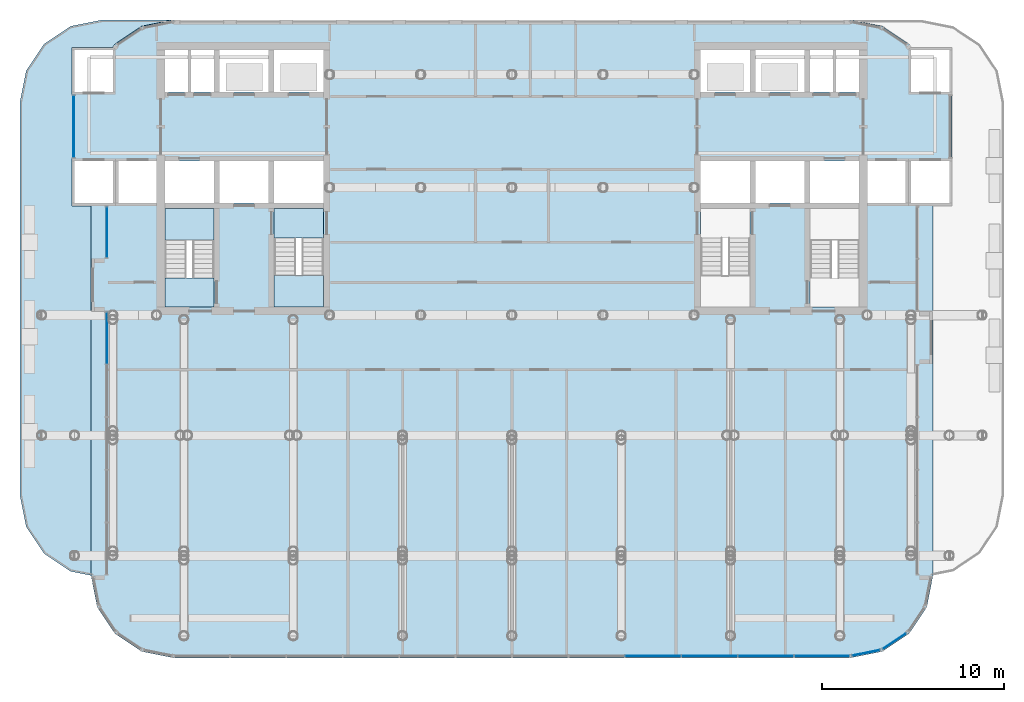
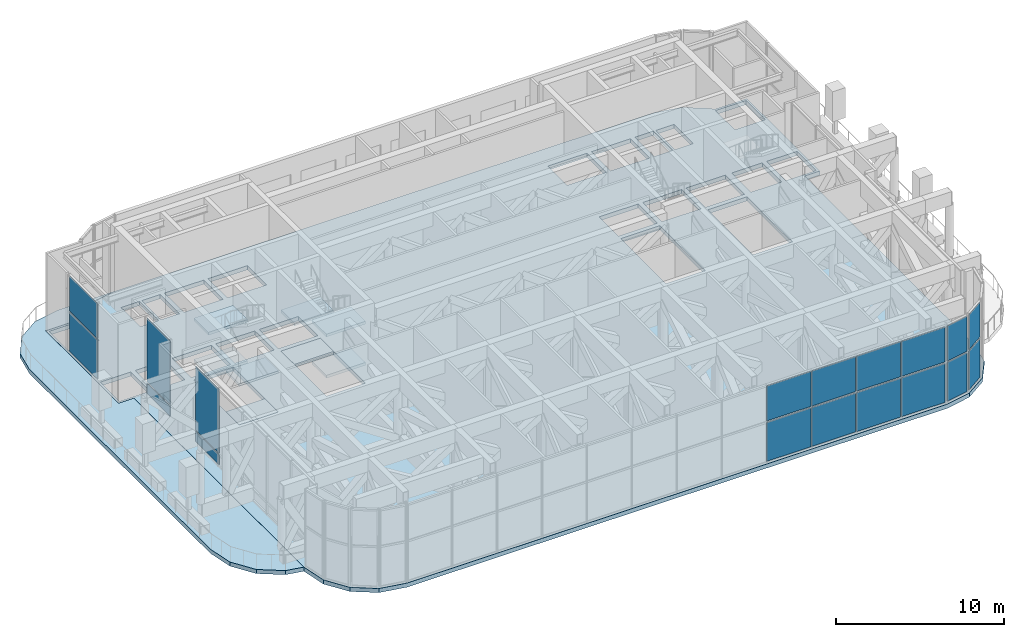
# One storey, part 10 of 21: 18 plates, 10 slabs, 8 elements without a shape of their own.
"""IFC4 building model written with IfcOpenShell, lengths in metres."""

from ifc_helpers import new_model, si_unit, direction, frame, origin, origin_2d, place, context, subcontext, project, spatial, polyline, rectangle, outline, extrude, material, layer, layer_set, type_object, element, aggregate, save


model = new_model("IFC4")

# Units and contexts
model_context = context("Model", 3, precision=1e-05, world=origin(), true_north=direction((0.0, 1.0)))
body_context = subcontext(model_context, "Body", "Model", "MODEL_VIEW")
ifc_project = project(units=[si_unit("LENGTHUNIT", "METRE"), si_unit("AREAUNIT", "SQUARE_METRE"), si_unit("VOLUMEUNIT", "CUBIC_METRE"), si_unit("PLANEANGLEUNIT", "RADIAN"), si_unit("MASSUNIT", "GRAM", prefix="KILO")], contexts=[model_context])

# Site, building, storey
site_placement = place(None, origin())
site = spatial("IfcSite", under=ifc_project, at=site_placement, CompositionType="ELEMENT")
building_placement = place(site_placement, origin())
building = spatial("IfcBuilding", under=site, at=building_placement, Name="Torana Hotel and Residences", CompositionType="ELEMENT")
storey_placement = place(building_placement, frame((0.0, 0.0, 246.60009765625)))
storey = spatial("IfcBuildingStorey", under=building, at=storey_placement, Name="L65", CompositionType="ELEMENT", Elevation=246.60009765625)

# Curtain wall, plates
ifc_material_1 = material(Name="Dark anodised aluminium", Category="aluminium")
ifc_layer_1 = layer(ifc_material_1, 0.199951171875)
ifc_layer_set_1 = layer_set([ifc_layer_1], Name="CW2 SKY LOBBY UNITISED CURTAIN WALL")
curtain_wall_type = type_object("IfcCurtainWallType", Name="CW2 SKY LOBBY UNITISED CURTAIN WALL", PredefinedType="NOTDEFINED", material=ifc_layer_set_1)
curtain_wall_1_placement = place(storey_placement, origin())
curtain_wall_1 = element("IfcCurtainWall", 1, at=curtain_wall_1_placement, inside=storey, type_object=curtain_wall_type, Name="Curtain wall CW2 L65 e0.2", PredefinedType="NOTDEFINED")
ifc_material_2 = material(Name="Glass dark tinted double glazed unit", Category="glass")
ifc_layer_2 = layer(ifc_material_2, 0.031982421875)
ifc_layer_set_2 = layer_set([ifc_layer_2], Name="CW2 DARK GLASS PANEL 32")
plate_type = type_object("IfcPlateType", Name="CW2 DARK GLASS PANEL 32", PredefinedType="CURTAIN_PANEL", material=ifc_layer_set_2)
plate_1_placement = place(storey_placement, frame((-24.050048828125, -4.64990234375, 0.11962890625), z_axis=(0.0, 0.0, 1.0), x_axis=(0.0, -1.0, 0.0)))
plate_1 = element("IfcPlate", 2, at=plate_1_placement, type_object=plate_type, Name="CW2 panel 1.1", PredefinedType="CURTAIN_PANEL", context=body_context, shape_type="SweptSolid", body=[
    extrude(rectangle(XDim=3.360107421875, YDim=0.031982421875, at=origin_2d()), origin(), (0.0, 0.0, 1.0), 2.820068359375),
])
plate_2_placement = place(storey_placement, frame((-24.050048828125, -4.64990234375, 3.059814453125), z_axis=(0.0, 0.0, 1.0), x_axis=(0.0, -1.0, 0.0)))
plate_2 = element("IfcPlate", 3, at=plate_2_placement, type_object=plate_type, Name="CW2 panel 1.2", PredefinedType="CURTAIN_PANEL", context=body_context, shape_type="SweptSolid", body=[
    extrude(rectangle(XDim=3.360107421875, YDim=0.031982421875, at=origin_2d()), origin(), (0.0, 0.0, 1.0), 2.5400390625),
])
aggregate(curtain_wall_1, [plate_1, plate_2])

curtain_wall_2_placement = place(storey_placement, origin())
curtain_wall_2 = element("IfcCurtainWall", 4, at=curtain_wall_2_placement, inside=storey, type_object=curtain_wall_type, Name="Curtain wall CW2 L65 e0.4-1", PredefinedType="NOTDEFINED")
plate_3_placement = place(storey_placement, frame((-22.22998046875, -10.4482421875, 0.1201171875), z_axis=(0.0, 0.0, 1.0), x_axis=(0.0, -1.0, 0.0)))
plate_3 = element("IfcPlate", 5, at=plate_3_placement, type_object=plate_type, Name="CW2 panel 1.1", PredefinedType="CURTAIN_PANEL", context=body_context, shape_type="SweptSolid", body=[
    extrude(rectangle(XDim=2.756591796875, YDim=0.031982421875, at=origin_2d()), origin(), (0.0, 0.0, 1.0), 0.719970703125),
])
plate_4_placement = place(storey_placement, frame((-22.22998046875, -10.4482421875, 0.9599609375), z_axis=(0.0, 0.0, 1.0), x_axis=(0.0, -1.0, 0.0)))
plate_4 = element("IfcPlate", 6, at=plate_4_placement, type_object=plate_type, Name="CW2 panel 1.2", PredefinedType="CURTAIN_PANEL", context=body_context, shape_type="SweptSolid", body=[
    extrude(rectangle(XDim=2.756591796875, YDim=0.031982421875, at=origin_2d()), origin(), (0.0, 0.0, 1.0), 4.639892578125),
])
aggregate(curtain_wall_2, [plate_3, plate_4])

curtain_wall_3_placement = place(storey_placement, origin())
curtain_wall_3 = element("IfcCurtainWall", 7, at=curtain_wall_3_placement, inside=storey, type_object=curtain_wall_type, Name="Curtain wall CW2 L65 e0.4-2", PredefinedType="NOTDEFINED")
plate_5_placement = place(storey_placement, frame((-22.22998046875, -16.2587890625, 0.1201171875), z_axis=(0.0, 0.0, 1.0), x_axis=(0.0, -1.0, 0.0)))
plate_5 = element("IfcPlate", 8, at=plate_5_placement, type_object=plate_type, Name="CW2 panel 1.1", PredefinedType="CURTAIN_PANEL", context=body_context, shape_type="SweptSolid", body=[
    extrude(rectangle(XDim=2.79150390625, YDim=0.031982421875, at=origin_2d()), origin(), (0.0, 0.0, 1.0), 0.719970703125),
])
plate_6_placement = place(storey_placement, frame((-22.22998046875, -16.2587890625, 0.9599609375), z_axis=(0.0, 0.0, 1.0), x_axis=(0.0, -1.0, 0.0)))
plate_6 = element("IfcPlate", 9, at=plate_6_placement, type_object=plate_type, Name="CW2 panel 1.2", PredefinedType="CURTAIN_PANEL", context=body_context, shape_type="SweptSolid", body=[
    extrude(rectangle(XDim=2.79150390625, YDim=0.031982421875, at=origin_2d()), origin(), (0.0, 0.0, 1.0), 4.639892578125),
])
aggregate(curtain_wall_3, [plate_5, plate_6])

curtain_wall_4_placement = place(storey_placement, origin())
curtain_wall_4 = element("IfcCurtainWall", 10, at=curtain_wall_4_placement, inside=storey, type_object=curtain_wall_type, Name="Curtain wall CW2 L65 e0.9-1", PredefinedType="NOTDEFINED")
plate_7_placement = place(storey_placement, frame((7.73974609375, -33.699951171875, 0.11962890625), z_axis=(0.0, 0.0, 1.0), x_axis=(1.0, 0.0, 0.0)))
plate_7 = element("IfcPlate", 11, at=plate_7_placement, type_object=plate_type, Name="CW2 panel 9.1", PredefinedType="CURTAIN_PANEL", context=body_context, shape_type="SweptSolid", body=[
    extrude(rectangle(XDim=3.02587890625, YDim=0.031982421875, at=origin_2d()), origin(), (0.0, 0.0, 1.0), 2.820068359375),
])
plate_8_placement = place(storey_placement, frame((7.73974609375, -33.699951171875, 3.059814453125), z_axis=(0.0, 0.0, 1.0), x_axis=(1.0, 0.0, 0.0)))
plate_8 = element("IfcPlate", 12, at=plate_8_placement, type_object=plate_type, Name="CW2 panel 9.2", PredefinedType="CURTAIN_PANEL", context=body_context, shape_type="SweptSolid", body=[
    extrude(rectangle(XDim=3.02587890625, YDim=0.031982421875, at=origin_2d()), origin(), (0.0, 0.0, 1.0), 2.5400390625),
])
plate_9_placement = place(storey_placement, frame((10.835693359375, -33.699951171875, 0.11962890625), z_axis=(0.0, 0.0, 1.0), x_axis=(1.0, 0.0, 0.0)))
plate_9 = element("IfcPlate", 13, at=plate_9_placement, type_object=plate_type, Name="CW2 panel 10.1", PredefinedType="CURTAIN_PANEL", context=body_context, shape_type="SweptSolid", body=[
    extrude(rectangle(XDim=3.02587890625, YDim=0.031982421875, at=origin_2d()), origin(), (0.0, 0.0, 1.0), 2.820068359375),
])
plate_10_placement = place(storey_placement, frame((10.835693359375, -33.699951171875, 3.059814453125), z_axis=(0.0, 0.0, 1.0), x_axis=(1.0, 0.0, 0.0)))
plate_10 = element("IfcPlate", 14, at=plate_10_placement, type_object=plate_type, Name="CW2 panel 10.2", PredefinedType="CURTAIN_PANEL", context=body_context, shape_type="SweptSolid", body=[
    extrude(rectangle(XDim=3.02587890625, YDim=0.031982421875, at=origin_2d()), origin(), (0.0, 0.0, 1.0), 2.5400390625),
])
plate_11_placement = place(storey_placement, frame((13.931640625, -33.699951171875, 0.11962890625), z_axis=(0.0, 0.0, 1.0), x_axis=(1.0, 0.0, 0.0)))
plate_11 = element("IfcPlate", 15, at=plate_11_placement, type_object=plate_type, Name="CW2 panel 11.1", PredefinedType="CURTAIN_PANEL", context=body_context, shape_type="SweptSolid", body=[
    extrude(rectangle(XDim=3.02587890625, YDim=0.031982421875, at=origin_2d()), origin(), (0.0, 0.0, 1.0), 2.820068359375),
])
plate_12_placement = place(storey_placement, frame((13.931640625, -33.699951171875, 3.059814453125), z_axis=(0.0, 0.0, 1.0), x_axis=(1.0, 0.0, 0.0)))
plate_12 = element("IfcPlate", 16, at=plate_12_placement, type_object=plate_type, Name="CW2 panel 11.2", PredefinedType="CURTAIN_PANEL", context=body_context, shape_type="SweptSolid", body=[
    extrude(rectangle(XDim=3.02587890625, YDim=0.031982421875, at=origin_2d()), origin(), (0.0, 0.0, 1.0), 2.5400390625),
])
plate_13_placement = place(storey_placement, frame((17.010009765625, -33.699951171875, 0.11962890625), z_axis=(0.0, 0.0, 1.0), x_axis=(1.0, 0.0, 0.0)))
plate_13 = element("IfcPlate", 17, at=plate_13_placement, type_object=plate_type, Name="CW2 panel 12.1", PredefinedType="CURTAIN_PANEL", context=body_context, shape_type="SweptSolid", body=[
    extrude(rectangle(XDim=2.990966796875, YDim=0.031982421875, at=origin_2d()), origin(), (0.0, 0.0, 1.0), 2.820068359375),
])
plate_14_placement = place(storey_placement, frame((17.010009765625, -33.699951171875, 3.059814453125), z_axis=(0.0, 0.0, 1.0), x_axis=(1.0, 0.0, 0.0)))
plate_14 = element("IfcPlate", 18, at=plate_14_placement, type_object=plate_type, Name="CW2 panel 12.2", PredefinedType="CURTAIN_PANEL", context=body_context, shape_type="SweptSolid", body=[
    extrude(rectangle(XDim=2.990966796875, YDim=0.031982421875, at=origin_2d()), origin(), (0.0, 0.0, 1.0), 2.5400390625),
])
aggregate(curtain_wall_4, [plate_7, plate_8, plate_9, plate_10, plate_11, plate_12, plate_13, plate_14])

curtain_wall_5_placement = place(storey_placement, origin())
curtain_wall_5 = element("IfcCurtainWall", 19, at=curtain_wall_5_placement, inside=storey, type_object=curtain_wall_type, Name="Curtain wall CW2 L65 e0.10-1", PredefinedType="NOTDEFINED")
plate_15_placement = place(storey_placement, frame((19.42919921875, -33.533203125, 0.11962890625), z_axis=(0.0, 0.0, 1.0), x_axis=(0.980790545928, 0.195063848566, 0.0)))
plate_15 = element("IfcPlate", 20, at=plate_15_placement, type_object=plate_type, Name="CW2 panel 1.1", PredefinedType="CURTAIN_PANEL", context=body_context, shape_type="SweptSolid", body=[
    extrude(rectangle(XDim=1.54150390625, YDim=0.031982421875, at=origin_2d()), origin(), (0.0, 0.0, 1.0), 2.820068359375),
])
plate_16_placement = place(storey_placement, frame((19.42919921875, -33.533203125, 3.059814453125), z_axis=(0.0, 0.0, 1.0), x_axis=(0.980790545928, 0.195063848566, 0.0)))
plate_16 = element("IfcPlate", 21, at=plate_16_placement, type_object=plate_type, Name="CW2 panel 1.2", PredefinedType="CURTAIN_PANEL", context=body_context, shape_type="SweptSolid", body=[
    extrude(rectangle(XDim=1.54150390625, YDim=0.031982421875, at=origin_2d()), origin(), (0.0, 0.0, 1.0), 2.5400390625),
])
aggregate(curtain_wall_5, [plate_15, plate_16])

curtain_wall_6_placement = place(storey_placement, origin())
curtain_wall_6 = element("IfcCurtainWall", 22, at=curtain_wall_6_placement, inside=storey, type_object=curtain_wall_type, Name="Curtain wall CW2 L65 e0.11-1", PredefinedType="NOTDEFINED")
plate_17_placement = place(storey_placement, frame((20.99658203125, -32.88671875, 0.11962890625), z_axis=(0.0, 0.0, 1.0), x_axis=(0.831473968618, 0.555563713278, 0.0)))
plate_17 = element("IfcPlate", 23, at=plate_17_placement, type_object=plate_type, Name="CW2 panel 1.1", PredefinedType="CURTAIN_PANEL", context=body_context, shape_type="SweptSolid", body=[
    extrude(rectangle(XDim=1.516357421875, YDim=0.031982421875, at=origin_2d()), origin(), (0.0, 0.0, 1.0), 2.820068359375),
])
plate_18_placement = place(storey_placement, frame((20.99658203125, -32.88671875, 3.059814453125), z_axis=(0.0, 0.0, 1.0), x_axis=(0.831473968618, 0.555563713278, 0.0)))
plate_18 = element("IfcPlate", 24, at=plate_18_placement, type_object=plate_type, Name="CW2 panel 1.2", PredefinedType="CURTAIN_PANEL", context=body_context, shape_type="SweptSolid", body=[
    extrude(rectangle(XDim=1.516357421875, YDim=0.031982421875, at=origin_2d()), origin(), (0.0, 0.0, 1.0), 2.5400390625),
])
aggregate(curtain_wall_6, [plate_17, plate_18])

# Slab
ifc_material_3 = material(Name="Concrete C40/50", Category="concrete")
ifc_layer_3 = layer(ifc_material_3, 0.300048828125)
ifc_layer_set_3 = layer_set([ifc_layer_3], Name="FLOOR SLAB PT 300")
slab_type_1 = type_object("IfcSlabType", Name="FLOOR SLAB PT 300", PredefinedType="FLOOR", material=ifc_layer_set_3)
slab_1_placement = place(storey_placement, frame((0.0, 0.0, -0.300048828125)))
element("IfcSlab", 25, at=slab_1_placement, inside=storey, type_object=slab_type_1, Name="Floor slab", PredefinedType="FLOOR", context=body_context, shape_type="SweptSolid", body=[
    extrude(outline(polyline([(-21.781982421875, -0.117919921875), (-21.903564453125, -0.300048828125), (-24.14990234375, -0.300048828125), (-24.14990234375, -9.0), (-23.10009765625, -9.0), (-23.10009765625, -29.300048828125), (-22.757568359375, -31.022216796875), (-21.781982421875, -32.48193359375), (-20.322021484375, -33.45751953125), (-18.60009765625, -33.800048828125), (18.60009765625, -33.800048828125), (20.322021484375, -33.45751953125), (21.781982421875, -32.48193359375), (22.757568359375, -31.022216796875), (23.10009765625, -29.300048828125), (23.10009765625, -9.0), (24.14990234375, -9.0), (24.14990234375, -0.300048828125), (21.903564453125, -0.300048828125), (21.781982421875, -0.117919921875), (20.322021484375, 0.857421875), (18.60009765625, 1.199951171875), (-18.60009765625, 1.199951171875), (-20.322021484375, 0.857421875), (-21.781982421875, -0.117919921875)]), holes=[polyline([(-13.050048828125, -14.550048828125), (-10.35009765625, -14.550048828125), (-10.35009765625, -9.14990234375), (-13.050048828125, -9.14990234375), (-13.050048828125, -14.550048828125)]), polyline([(-19.050048828125, -14.550048828125), (-16.35009765625, -14.550048828125), (-16.35009765625, -9.14990234375), (-19.050048828125, -9.14990234375), (-19.050048828125, -14.550048828125)]), polyline([(-17.625, -2.75), (-16.35009765625, -2.75), (-16.35009765625, -0.449951171875), (-17.625, -0.449951171875), (-17.625, -2.75)]), polyline([(-19.050048828125, -2.75), (-17.77490234375, -2.75), (-17.77490234375, -0.449951171875), (-19.050048828125, -0.449951171875), (-19.050048828125, -2.75)]), polyline([(-21.60009765625, -8.85009765625), (-19.5, -8.85009765625), (-19.5, -6.550048828125), (-21.60009765625, -6.550048828125), (-21.60009765625, -8.85009765625)]), polyline([(-24.0, -2.75), (-21.89990234375, -2.75), (-21.89990234375, -0.449951171875), (-24.0, -0.449951171875), (-24.0, -2.75)]), polyline([(-24.0, -8.85009765625), (-21.89990234375, -8.85009765625), (-21.89990234375, -6.550048828125), (-24.0, -6.550048828125), (-24.0, -8.85009765625)]), polyline([(-13.050048828125, -2.75), (-10.35009765625, -2.75), (-10.35009765625, -0.449951171875), (-13.050048828125, -0.449951171875), (-13.050048828125, -2.75)]), polyline([(-16.050048828125, -2.75), (-13.35009765625, -2.75), (-13.35009765625, -0.449951171875), (-16.050048828125, -0.449951171875), (-16.050048828125, -2.75)]), polyline([(-13.050048828125, -8.85009765625), (-10.35009765625, -8.85009765625), (-10.35009765625, -6.550048828125), (-13.050048828125, -6.550048828125), (-13.050048828125, -8.85009765625)]), polyline([(-16.050048828125, -8.85009765625), (-13.35009765625, -8.85009765625), (-13.35009765625, -6.550048828125), (-16.050048828125, -6.550048828125), (-16.050048828125, -8.85009765625)]), polyline([(-19.050048828125, -8.85009765625), (-16.35009765625, -8.85009765625), (-16.35009765625, -6.550048828125), (-19.050048828125, -6.550048828125), (-19.050048828125, -8.85009765625)]), polyline([(10.35009765625, -14.550048828125), (13.050048828125, -14.550048828125), (13.050048828125, -9.14990234375), (10.35009765625, -9.14990234375), (10.35009765625, -14.550048828125)]), polyline([(16.35009765625, -14.550048828125), (19.050048828125, -14.550048828125), (19.050048828125, -9.14990234375), (16.35009765625, -9.14990234375), (16.35009765625, -14.550048828125)]), polyline([(16.35009765625, -2.75), (17.625, -2.75), (17.625, -0.449951171875), (16.35009765625, -0.449951171875), (16.35009765625, -2.75)]), polyline([(17.77490234375, -2.75), (19.050048828125, -2.75), (19.050048828125, -0.449951171875), (17.77490234375, -0.449951171875), (17.77490234375, -2.75)]), polyline([(19.5, -8.85009765625), (21.60009765625, -8.85009765625), (21.60009765625, -6.550048828125), (19.5, -6.550048828125), (19.5, -8.85009765625)]), polyline([(21.89990234375, -2.75), (24.0, -2.75), (24.0, -0.449951171875), (21.89990234375, -0.449951171875), (21.89990234375, -2.75)]), polyline([(21.89990234375, -8.85009765625), (24.0, -8.85009765625), (24.0, -6.550048828125), (21.89990234375, -6.550048828125), (21.89990234375, -8.85009765625)]), polyline([(10.35009765625, -2.75), (13.050048828125, -2.75), (13.050048828125, -0.449951171875), (10.35009765625, -0.449951171875), (10.35009765625, -2.75)]), polyline([(13.35009765625, -2.75), (16.050048828125, -2.75), (16.050048828125, -0.449951171875), (13.35009765625, -0.449951171875), (13.35009765625, -2.75)]), polyline([(10.35009765625, -8.85009765625), (13.050048828125, -8.85009765625), (13.050048828125, -6.550048828125), (10.35009765625, -6.550048828125), (10.35009765625, -8.85009765625)]), polyline([(13.35009765625, -8.85009765625), (16.050048828125, -8.85009765625), (16.050048828125, -6.550048828125), (13.35009765625, -6.550048828125), (13.35009765625, -8.85009765625)]), polyline([(16.35009765625, -8.85009765625), (19.050048828125, -8.85009765625), (19.050048828125, -6.550048828125), (16.35009765625, -6.550048828125), (16.35009765625, -8.85009765625)])]), origin(), (0.0, 0.0, 1.0), 0.300048828125),
])

# Stair, slabs
ifc_material_4 = material(Name="Concrete C40/50 precast", Category="concrete")
stair_type_1 = type_object("IfcStairType", Name="STAIR ST1 HALF TURN 1200", PredefinedType="HALF_TURN_STAIR", material=ifc_material_4)
stair_1_placement = place(storey_placement, origin())
stair_1 = element("IfcStair", 26, at=stair_1_placement, inside=storey, type_object=stair_type_1, Name="Stair ST1 L65", PredefinedType="HALF_TURN_STAIR")
ifc_material_5 = material(Name="Concrete C40/50 precast", Category="concrete")
ifc_layer_4 = layer(ifc_material_5, 0.199951171875)
ifc_layer_set_4 = layer_set([ifc_layer_4], Name="STAIR LANDING 200")
slab_type_2 = type_object("IfcSlabType", Name="STAIR LANDING 200", PredefinedType="LANDING", material=ifc_layer_set_4)
slab_2_placement = place(storey_placement, frame((0.0, 0.0, 1.2998046875)))
slab_2 = element("IfcSlab", 27, at=slab_2_placement, type_object=slab_type_2, Name="ST1 landing 1", PredefinedType="LANDING", context=body_context, shape_type="SweptSolid", body=[
    extrude(outline(polyline([(-13.050048828125, -14.550048828125), (-10.35009765625, -14.550048828125), (-10.35009765625, -12.830078125), (-13.050048828125, -12.830078125), (-13.050048828125, -14.550048828125)])), origin(), (0.0, 0.0, 1.0), 0.2001953125),
])
slab_3_placement = place(storey_placement, frame((0.0, 0.0, -0.2001953125)))
slab_3 = element("IfcSlab", 28, at=slab_3_placement, type_object=slab_type_2, Name="ST1 landing 2", PredefinedType="LANDING", context=body_context, shape_type="SweptSolid", body=[
    extrude(outline(polyline([(-13.050048828125, -10.75), (-10.35009765625, -10.75), (-10.35009765625, -9.14990234375), (-13.050048828125, -9.14990234375), (-13.050048828125, -10.75)])), origin(), (0.0, 0.0, 1.0), 0.2001953125),
])
slab_4_placement = place(storey_placement, frame((0.0, 0.0, 4.2998046875)))
slab_4 = element("IfcSlab", 29, at=slab_4_placement, type_object=slab_type_2, Name="ST1 landing 3", PredefinedType="LANDING", context=body_context, shape_type="SweptSolid", body=[
    extrude(outline(polyline([(-13.050048828125, -14.550048828125), (-10.35009765625, -14.550048828125), (-10.35009765625, -12.830078125), (-13.050048828125, -12.830078125), (-13.050048828125, -14.550048828125)])), origin(), (0.0, 0.0, 1.0), 0.2001953125),
])
slab_5_placement = place(storey_placement, frame((0.0, 0.0, 2.7998046875)))
slab_5 = element("IfcSlab", 30, at=slab_5_placement, type_object=slab_type_2, Name="ST1 landing 4", PredefinedType="LANDING", context=body_context, shape_type="SweptSolid", body=[
    extrude(outline(polyline([(-13.050048828125, -10.75), (-10.35009765625, -10.75), (-10.35009765625, -9.14990234375), (-13.050048828125, -9.14990234375), (-13.050048828125, -10.75)])), origin(), (0.0, 0.0, 1.0), 0.2001953125),
])
aggregate(stair_1, [slab_2, slab_3, slab_4, slab_5])

ifc_material_6 = material(Name="Concrete C40/50 precast", Category="concrete")
stair_type_2 = type_object("IfcStairType", Name="STAIR ST2 HALF TURN 1200", PredefinedType="HALF_TURN_STAIR", material=ifc_material_6)
stair_2_placement = place(storey_placement, origin())
stair_2 = element("IfcStair", 31, at=stair_2_placement, inside=storey, type_object=stair_type_2, Name="Stair ST2 L65", PredefinedType="HALF_TURN_STAIR")
slab_6_placement = place(storey_placement, frame((0.0, 0.0, 1.2998046875)))
slab_6 = element("IfcSlab", 32, at=slab_6_placement, type_object=slab_type_2, Name="ST2 landing 1", PredefinedType="LANDING", context=body_context, shape_type="SweptSolid", body=[
    extrude(outline(polyline([(-19.050048828125, -10.8701171875), (-16.35009765625, -10.8701171875), (-16.35009765625, -9.14990234375), (-19.050048828125, -9.14990234375), (-19.050048828125, -10.8701171875)])), origin(), (0.0, 0.0, 1.0), 0.2001953125),
])
slab_7_placement = place(storey_placement, frame((0.0, 0.0, -0.2001953125)))
slab_7 = element("IfcSlab", 33, at=slab_7_placement, type_object=slab_type_2, Name="ST2 landing 2", PredefinedType="LANDING", context=body_context, shape_type="SweptSolid", body=[
    extrude(outline(polyline([(-19.050048828125, -14.550048828125), (-16.35009765625, -14.550048828125), (-16.35009765625, -12.949951171875), (-19.050048828125, -12.949951171875), (-19.050048828125, -14.550048828125)])), origin(), (0.0, 0.0, 1.0), 0.2001953125),
])
slab_8_placement = place(storey_placement, frame((0.0, 0.0, 4.2998046875)))
slab_8 = element("IfcSlab", 34, at=slab_8_placement, type_object=slab_type_2, Name="ST2 landing 3", PredefinedType="LANDING", context=body_context, shape_type="SweptSolid", body=[
    extrude(outline(polyline([(-19.050048828125, -10.8701171875), (-16.35009765625, -10.8701171875), (-16.35009765625, -9.14990234375), (-19.050048828125, -9.14990234375), (-19.050048828125, -10.8701171875)])), origin(), (0.0, 0.0, 1.0), 0.2001953125),
])
slab_9_placement = place(storey_placement, frame((0.0, 0.0, 2.7998046875)))
slab_9 = element("IfcSlab", 35, at=slab_9_placement, type_object=slab_type_2, Name="ST2 landing 4", PredefinedType="LANDING", context=body_context, shape_type="SweptSolid", body=[
    extrude(outline(polyline([(-19.050048828125, -14.550048828125), (-16.35009765625, -14.550048828125), (-16.35009765625, -12.949951171875), (-19.050048828125, -12.949951171875), (-19.050048828125, -14.550048828125)])), origin(), (0.0, 0.0, 1.0), 0.2001953125),
])
aggregate(stair_2, [slab_6, slab_7, slab_8, slab_9])

# Slab
ifc_material_7 = material(Name="Concrete C40/50", Category="concrete")
ifc_layer_5 = layer(ifc_material_7, 0.300048828125)
ifc_layer_set_5 = layer_set([ifc_layer_5], Name="TR1 TERRACE SLAB 300")
slab_type_3 = type_object("IfcSlabType", Name="TR1 TERRACE SLAB 300", PredefinedType="USERDEFINED", material=ifc_layer_set_5)
slab_10_placement = place(storey_placement, frame((0.0, 0.0, -0.300048828125)))
element("IfcSlab", 36, at=slab_10_placement, inside=storey, type_object=slab_type_3, Name="Terrace L65 2", ObjectType="TERRACE", PredefinedType="USERDEFINED", context=body_context, shape_type="SweptSolid", body=[
    extrude(outline(polyline([(-24.22216796875, -29.0576171875), (-25.681884765625, -28.08203125), (-26.657470703125, -26.6220703125), (-27.0, -24.89990234375), (-27.0, -3.300048828125), (-26.657470703125, -1.577880859375), (-25.681884765625, -0.117919921875), (-24.22216796875, 0.857421875), (-22.5, 1.199951171875), (-18.60498046875, 1.199951171875), (-20.322265625, 0.8583984375), (-20.322509765625, 0.8583984375), (-20.322509765625, 0.8583984375), (-20.322509765625, 0.8583984375), (-20.32275390625, 0.8583984375), (-21.78271484375, -0.1171875), (-21.78271484375, -0.1171875), (-21.78271484375, -0.1171875), (-21.78271484375, -0.117431640625), (-21.78271484375, -0.117431640625), (-21.904052734375, -0.299072265625), (-24.14990234375, -0.299072265625), (-24.150146484375, -0.299072265625), (-24.150146484375, -0.299072265625), (-24.150390625, -0.299072265625), (-24.150390625, -0.299072265625), (-24.150390625, -0.299072265625), (-24.150634765625, -0.29931640625), (-24.150634765625, -0.29931640625), (-24.150634765625, -0.29931640625), (-24.15087890625, -0.29931640625), (-24.15087890625, -0.29931640625), (-24.15087890625, -0.299560546875), (-24.15087890625, -0.299560546875), (-24.15087890625, -0.2998046875), (-24.15087890625, -0.2998046875), (-24.15087890625, -0.2998046875), (-24.15087890625, -0.300048828125), (-24.15087890625, -9.0), (-24.15087890625, -9.0), (-24.15087890625, -9.000244140625), (-24.15087890625, -9.000244140625), (-24.15087890625, -9.00048828125), (-24.15087890625, -9.00048828125), (-24.15087890625, -9.00048828125), (-24.15087890625, -9.00048828125), (-24.150634765625, -9.000732421875), (-24.150634765625, -9.000732421875), (-24.150634765625, -9.000732421875), (-24.150390625, -9.0009765625), (-24.150390625, -9.0009765625), (-24.150390625, -9.0009765625), (-24.150146484375, -9.0009765625), (-24.150146484375, -9.0009765625), (-24.14990234375, -9.0009765625), (-23.10107421875, -9.0009765625), (-23.10107421875, -29.280517578125), (-24.22216796875, -29.0576171875)])), origin(), (0.0, 0.0, 1.0), 0.300048828125),
])

save(model, "model.ifc")
